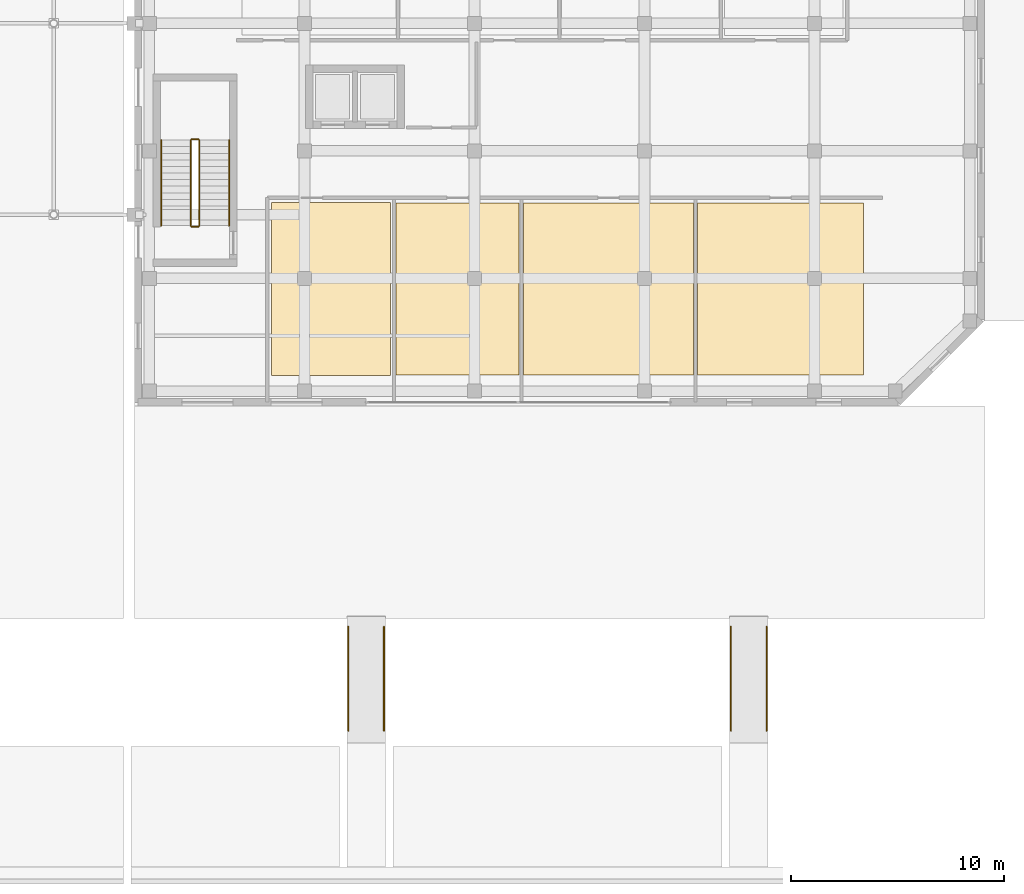
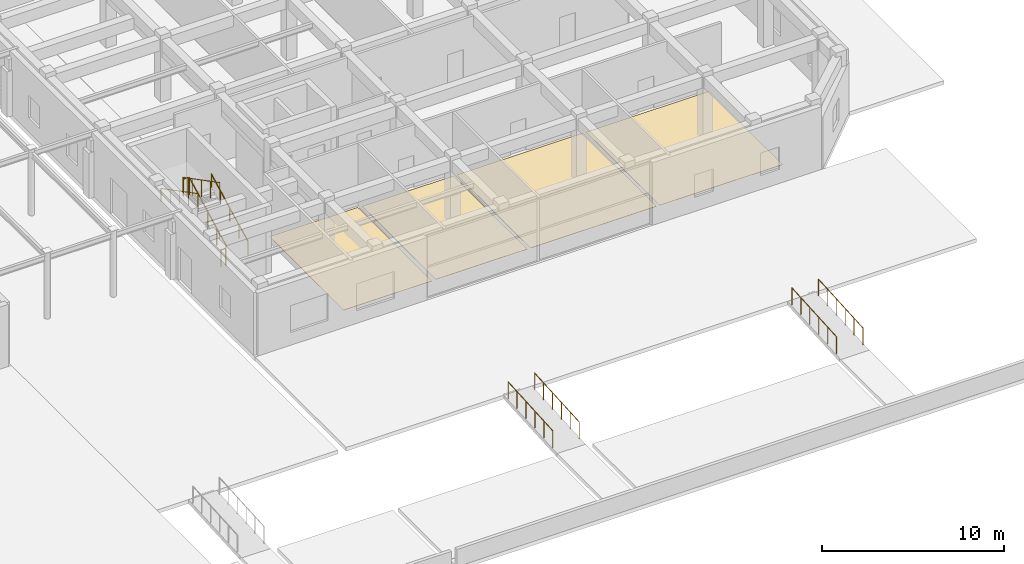
# One storey, part 36 of 39: 10 railings, 4 coverings.
"""IFC4 building model written with IfcOpenShell, lengths in metres."""

import ifcopenshell
import ifcopenshell.guid

model = None  # the IFC model being written
_history = None  # IfcOwnerHistory: only IFC2X3 demands one
_inside = {}  # id of a spatial element -> (the spatial element, [elements in it])
_under = {}  # id of a project, library or spatial element -> (it, [spatial elements below it])
_declared = {}  # id of a project -> (the project, [libraries it declares])
_typed = {}  # id of a type object -> (the type object, [elements of that type])
_made_of = {}  # id of a material, layer set ... -> (it, [elements and type objects made of it])


def new_model(schema):
    """Start an empty IFC model of exactly this schema.

    Asked for "IFC4X3", IfcOpenShell would pick the latest addendum, in which some entities
    have other attributes; the version numbers below select the first issue.
    IFC2X3 requires an IfcOwnerHistory on every rooted entity: one is made here for all.
    """
    global model, _history
    if schema == "IFC4X3":
        model = ifcopenshell.file(schema_version=(4, 3, 0, 0))
    else:
        model = ifcopenshell.file(schema=schema)
    _inside.clear()
    _under.clear()
    _declared.clear()
    _typed.clear()
    _made_of.clear()
    _history = None
    if model.schema == "IFC2X3":
        org = make("IfcOrganization", Name="unknown")
        user = make(
            "IfcPersonAndOrganization",
            ThePerson=make("IfcPerson", FamilyName="unknown"),
            TheOrganization=org,
        )
        app = make(
            "IfcApplication",
            ApplicationDeveloper=org,
            Version="unknown",
            ApplicationFullName="unknown",
            ApplicationIdentifier="unknown",
        )
        _history = make(
            "IfcOwnerHistory",
            OwningUser=user,
            OwningApplication=app,
            ChangeAction="ADDED",
            CreationDate=0,
        )
    return model


def make(cls, **values):
    """One entity of the class cls with the attributes given. An attribute that is None is left unset."""
    return model.create_entity(
        cls, **{name: value for name, value in values.items() if value is not None}
    )


def rooted(cls, **values):
    """An entity with a GlobalId (a new one), such as an element, a storey or a relation."""
    return make(cls, GlobalId=ifcopenshell.guid.new(), OwnerHistory=_history, **values)


def si_unit(unit_type, name, prefix=None):
    """IfcSIUnit, for example si_unit("LENGTHUNIT", "METRE", prefix="MILLI")."""
    return make("IfcSIUnit", UnitType=unit_type, Prefix=prefix, Name=name)


def assignment(units):
    """IfcUnitAssignment: the units of a project."""
    return None if units is None else make("IfcUnitAssignment", Units=units)


def point(xyz):
    """IfcCartesianPoint."""
    return None if xyz is None else make("IfcCartesianPoint", Coordinates=xyz)


def direction(xyz):
    """IfcDirection."""
    return None if xyz is None else make("IfcDirection", DirectionRatios=xyz)


def frame(location, z_axis=None, x_axis=None):
    """IfcAxis2Placement3D, a coordinate frame: its origin and axes. An axis left out is left unset."""
    return make(
        "IfcAxis2Placement3D",
        Location=point(location),
        Axis=direction(z_axis),
        RefDirection=direction(x_axis),
    )


def frame_2d(location, x_axis=None):
    """IfcAxis2Placement2D, a coordinate frame in the plane: its origin and x axis."""
    return make(
        "IfcAxis2Placement2D", Location=point(location), RefDirection=direction(x_axis)
    )


def origin():
    """The frame at (0, 0, 0) with its axes left unset."""
    return frame((0.0, 0.0, 0.0))


def origin_2d():
    """The frame at (0, 0) in the plane with its x axis left unset."""
    return frame_2d((0.0, 0.0))


def place(relative_to, where):
    """IfcLocalPlacement: puts the frame where relative to a parent placement (None: the world)."""
    return make(
        "IfcLocalPlacement", PlacementRelTo=relative_to, RelativePlacement=where
    )


def context(
    kind, dimensions, precision=None, world=None, true_north=None, identifier=None
):
    """IfcGeometricRepresentationContext, for example the 3D "Model" context."""
    return make(
        "IfcGeometricRepresentationContext",
        ContextIdentifier=identifier,
        ContextType=kind,
        CoordinateSpaceDimension=dimensions,
        Precision=precision,
        WorldCoordinateSystem=world,
        TrueNorth=true_north,
    )


def subcontext(parent, identifier, kind, view, scale=None):
    """IfcGeometricRepresentationSubContext, for example "Body" below "Model"."""
    return make(
        "IfcGeometricRepresentationSubContext",
        ContextIdentifier=identifier,
        ContextType=kind,
        ParentContext=parent,
        TargetScale=scale,
        TargetView=view,
    )


def project(units=None, contexts=None):
    """IfcProject with its units and contexts."""
    return rooted(
        "IfcProject",
        Name="project",
        RepresentationContexts=contexts,
        UnitsInContext=assignment(units),
    )


def spatial(cls, under=None, at=None, **own):
    """A site, building, storey or space (cls), placed at a placement, below another one or the project."""
    s = rooted(cls, ObjectPlacement=at, **own)
    if under is not None:
        _under.setdefault(under.id(), (under, []))[1].append(s)
    return s


def polyline(points):
    """IfcPolyline through the points."""
    return make("IfcPolyline", Points=[point(p) for p in points])


def profile(cls, at=None, kind="AREA", **sizes):
    """A parametric profile (cls). Its sizes go by their IFC names, for example OverallWidth=200.0."""
    return make(cls, ProfileType=kind, Position=at, **sizes)


def circle(**sizes):
    """IfcCircleProfileDef."""
    return profile("IfcCircleProfileDef", **sizes)


def outline(outer, holes=None, kind="AREA"):
    """IfcArbitraryClosedProfileDef: a profile drawn as a closed curve; with holes, ...WithVoids."""
    if holes is None:
        return make("IfcArbitraryClosedProfileDef", ProfileType=kind, OuterCurve=outer)
    return make(
        "IfcArbitraryProfileDefWithVoids",
        ProfileType=kind,
        OuterCurve=outer,
        InnerCurves=holes,
    )


def extrude(swept, where, along, depth):
    """IfcExtrudedAreaSolid: the profile swept, set in the frame where, extruded along a direction by depth."""
    return make(
        "IfcExtrudedAreaSolid",
        SweptArea=swept,
        Position=where,
        ExtrudedDirection=direction(along),
        Depth=depth,
    )


def shape(context_of_items, identifier, shape_type, items):
    """IfcShapeRepresentation: the items that make up one representation, for example the "Body"."""
    return make(
        "IfcShapeRepresentation",
        ContextOfItems=context_of_items,
        RepresentationIdentifier=identifier,
        RepresentationType=shape_type,
        Items=items,
    )


def material(Name=None, Category=None):
    """IfcMaterial."""
    return make("IfcMaterial", Name=Name, Category=Category)


def layer(
    of_material, thickness, ventilated=None, Name=None, Category=None, Priority=None
):
    """IfcMaterialLayer: one layer of a wall or slab, of a material (None: an air gap)."""
    return make(
        "IfcMaterialLayer",
        Material=of_material,
        LayerThickness=thickness,
        IsVentilated=ventilated,
        Name=Name,
        Category=Category,
        Priority=Priority,
    )


def layer_set(layers, Name=None):
    """IfcMaterialLayerSet."""
    return make("IfcMaterialLayerSet", MaterialLayers=layers, LayerSetName=Name)


def made_of(thing, what):
    """Note that an element or type object is made of a material, layer set ...; save() writes the relation."""
    if what is not None:
        _made_of.setdefault(what.id(), (what, []))[1].append(thing)
    return thing


def type_object(cls, material=None, **own):
    """A type object (cls), such as IfcWallType, which elements share."""
    return made_of(rooted(cls, **own), material)


def element(
    cls,
    number,
    at=None,
    inside=None,
    cuts=None,
    type_object=None,
    material=None,
    context=None,
    identifier="Body",
    shape_type=None,
    held_by="IfcProductDefinitionShape",
    body=None,
    shapes=None,
    **own,
):
    """One element of the class cls, such as IfcWall. Its Tag is "e" and its number.

    at: its placement. inside: the storey or other place that contains it. cuts: it is an
    opening in that element (IfcRelVoidsElement). A single representation is given by context,
    identifier, shape_type and body (its items); several are given by shapes. held_by: the class
    of the entity that holds the representations. save() writes the other relations.
    """
    e = rooted(cls, Tag="e%d" % number, ObjectPlacement=at, **own)
    if body is not None:
        shapes = [shape(context, identifier, shape_type, body)]
    if shapes is not None:
        e.Representation = make(held_by, Representations=shapes)
    if inside is not None:
        _inside.setdefault(inside.id(), (inside, []))[1].append(e)
    if cuts is not None:
        rooted(
            "IfcRelVoidsElement", RelatingBuildingElement=cuts, RelatedOpeningElement=e
        )
    if type_object is not None:
        _typed.setdefault(type_object.id(), (type_object, []))[1].append(e)
    return made_of(e, material)


def aggregate(whole, parts):
    """IfcRelAggregates: a whole, such as a stair, and the parts it consists of."""
    return rooted("IfcRelAggregates", RelatingObject=whole, RelatedObjects=parts)


def save(model, path):
    """Write the relations noted so far, then the file.

    IfcRelAggregates (storeys below a building ...), IfcRelContainedInSpatialStructure (elements
    in a storey), IfcRelDefinesByType, IfcRelAssociatesMaterial and IfcRelDeclares: one each for
    every whole, place, type object, material and project.
    """
    for whole, parts in _under.values():
        aggregate(whole, parts)
    for where, things in _inside.values():
        rooted(
            "IfcRelContainedInSpatialStructure",
            RelatedElements=things,
            RelatingStructure=where,
        )
    for kind, things in _typed.values():
        rooted("IfcRelDefinesByType", RelatedObjects=things, RelatingType=kind)
    for what, things in _made_of.values():
        rooted("IfcRelAssociatesMaterial", RelatedObjects=things, RelatingMaterial=what)
    for by, libraries in _declared.values():
        rooted("IfcRelDeclares", RelatingContext=by, RelatedDefinitions=libraries)
    model.write(path)


model = new_model("IFC4")

# Units and contexts
model_context = context("Model", 3, precision=1e-05, world=origin(), true_north=direction((0.0, 1.0)))
body_context = subcontext(model_context, "Body", "Model", "MODEL_VIEW")
ifc_project = project(units=[si_unit("LENGTHUNIT", "METRE"), si_unit("AREAUNIT", "SQUARE_METRE"), si_unit("VOLUMEUNIT", "CUBIC_METRE"), si_unit("PLANEANGLEUNIT", "RADIAN"), si_unit("MASSUNIT", "GRAM", prefix="KILO")], contexts=[model_context])

# Site, building, storey
site_placement = place(None, origin())
site = spatial("IfcSite", under=ifc_project, at=site_placement, CompositionType="ELEMENT")
building_placement = place(site_placement, origin())
building = spatial("IfcBuilding", under=site, at=building_placement, Name="Khoralis Quay Care Tower", CompositionType="ELEMENT")
storey_placement = place(building_placement, origin())
storey = spatial("IfcBuildingStorey", under=building, at=storey_placement, Name="L00", CompositionType="ELEMENT", Elevation=0.0)

# Coverings
ifc_material_1 = material(Name="Porcelain and non-slip vinyl flooring")
ifc_layer = layer(ifc_material_1, 0.02001953125)
ifc_layer_set = layer_set([ifc_layer], Name="Porcelain and non-slip vinyl flooring")
covering_type = type_object("IfcCoveringType", Name="COV-FLOOR-20", PredefinedType="FLOORING", material=ifc_layer_set)
covering_1_placement = place(storey_placement, origin())
element("IfcCovering", 1, at=covering_1_placement, inside=storey, type_object=covering_type, Name="Resilient Healthcare Flooring SP-L00-SCS-0", PredefinedType="FLOORING", context=body_context, shape_type="SweptSolid", body=[
    extrude(outline(polyline([(74.43994140625, 7.429931640625), (80.0400390625, 7.429931640625), (80.0400390625, 15.570068359375), (74.43994140625, 15.570068359375), (74.43994140625, 7.429931640625)])), origin(), (0.0, 0.0, 1.0), 0.02001953125),
])
covering_2_placement = place(storey_placement, origin())
element("IfcCovering", 2, at=covering_2_placement, inside=storey, type_object=covering_type, Name="Resilient Healthcare Flooring SP-L00-SCS-1", PredefinedType="FLOORING", context=body_context, shape_type="SweptSolid", body=[
    extrude(outline(polyline([(80.300048828125, 7.449951171875), (86.10009765625, 7.449951171875), (86.10009765625, 15.550048828125), (80.300048828125, 15.550048828125), (80.300048828125, 7.449951171875)])), origin(), (0.0, 0.0, 1.0), 0.02001953125),
])
covering_3_placement = place(storey_placement, origin())
element("IfcCovering", 3, at=covering_3_placement, inside=storey, type_object=covering_type, Name="Resilient Healthcare Flooring SP-L00-SCS-2", PredefinedType="FLOORING", context=body_context, shape_type="SweptSolid", body=[
    extrude(outline(polyline([(86.300048828125, 7.449951171875), (94.300048828125, 7.449951171875), (94.300048828125, 15.550048828125), (86.300048828125, 15.550048828125), (86.300048828125, 7.449951171875)])), origin(), (0.0, 0.0, 1.0), 0.02001953125),
])
covering_4_placement = place(storey_placement, origin())
element("IfcCovering", 4, at=covering_4_placement, inside=storey, type_object=covering_type, Name="Resilient Healthcare Flooring SP-L00-SCS-3", PredefinedType="FLOORING", context=body_context, shape_type="SweptSolid", body=[
    extrude(outline(polyline([(94.5, 7.449951171875), (102.300048828125, 7.449951171875), (102.300048828125, 15.550048828125), (94.5, 15.550048828125), (94.5, 7.449951171875)])), origin(), (0.0, 0.0, 1.0), 0.02001953125),
])

# Railings
ifc_material_2 = material(Name="Pale anodised aluminium", Category="aluminium")
railing_type_1 = type_object("IfcRailingType", Name="RL-BALUST-1150", PredefinedType="BALUSTRADE", material=ifc_material_2)
for number, where, name in (
    (5, (78.06005859375, -9.280029296875, -0.330078125), "Ramp 5 West Guard"),
    (6, (79.739990234375, -9.280029296875, -0.330078125), "Ramp 5 East Guard"),
    (7, (96.06005859375, -9.280029296875, -0.330078125), "Ramp 6 West Guard"),
    (8, (97.739990234375, -9.280029296875, -0.330078125), "Ramp 6 East Guard"),
):
    element("IfcRailing", number, at=place(storey_placement, frame(where)), inside=storey, type_object=railing_type_1, Name=name, PredefinedType="BALUSTRADE", context=body_context, shape_type="SweptSolid", body=[
        extrude(circle(Radius=0.02392578125, at=origin_2d()), frame((0.0, 0.0, 1.1259765625), z_axis=(0.0, 0.998004104959, 0.063149081426), x_axis=(-1.0, 0.0, 0.0)), (0.0, 0.0, 1.0), 4.909912109375),
        extrude(circle(Radius=0.02099609375, at=origin_2d()), origin(), (0.0, 0.0, 1.0), 1.101806640625),
        extrude(circle(Radius=0.02099609375, at=origin_2d()), frame((0.0, 0.97998046875, 0.06201171875)), (0.0, 0.0, 1.0), 1.101806640625),
        extrude(circle(Radius=0.02099609375, at=origin_2d()), frame((0.0, 1.9599609375, 0.1240234375)), (0.0, 0.0, 1.0), 1.101806640625),
        extrude(circle(Radius=0.02099609375, at=origin_2d()), frame((0.0, 2.940185546875, 0.18603515625)), (0.0, 0.0, 1.0), 1.101806640625),
        extrude(circle(Radius=0.02099609375, at=origin_2d()), frame((0.0, 3.920166015625, 0.248046875)), (0.0, 0.0, 1.0), 1.101806640625),
        extrude(circle(Radius=0.02099609375, at=origin_2d()), frame((0.0, 4.900146484375, 0.31005859375)), (0.0, 0.0, 1.0), 1.101806640625),
    ])
ifc_material_3 = material(Name="Brushed stainless steel", Category="steel")
railing_type_2 = type_object("IfcRailingType", Name="RL-GUARD-1150", PredefinedType="GUARDRAIL", material=ifc_material_3)
railing_1_placement = place(storey_placement, frame((71.050048828125, 14.47998046875, 0.16064453125)))
element("IfcRailing", 9, at=railing_1_placement, inside=storey, type_object=railing_type_2, Name="L00 ST-S1 stair guard 1", PredefinedType="GUARDRAIL", context=body_context, shape_type="SweptSolid", body=[
    extrude(circle(Radius=0.02392578125, at=origin_2d()), frame((0.0, 0.0, 1.1259765625), z_axis=(0.0, 0.887780577991, 0.46026692836), x_axis=(-1.0, 0.0, 0.0)), (0.0, 0.0, 1.0), 4.53955078125),
    extrude(circle(Radius=0.02099609375, at=origin_2d()), origin(), (0.0, 0.0, 1.0), 1.101806640625),
    extrude(circle(Radius=0.02099609375, at=origin_2d()), frame((0.0, 1.007568359375, 0.5224609375)), (0.0, 0.0, 1.0), 1.101806640625),
    extrude(circle(Radius=0.02099609375, at=origin_2d()), frame((0.0, 2.01513671875, 1.044677734375)), (0.0, 0.0, 1.0), 1.101806640625),
    extrude(circle(Radius=0.02099609375, at=origin_2d()), frame((0.0, 3.0224609375, 1.56689453125)), (0.0, 0.0, 1.0), 1.101806640625),
    extrude(circle(Radius=0.02099609375, at=origin_2d()), frame((0.0, 4.030029296875, 2.08935546875)), (0.0, 0.0, 1.0), 1.101806640625),
])
railing_2_placement = place(storey_placement, frame((71.0, 18.56005859375, 2.25)))
element("IfcRailing", 10, at=railing_2_placement, inside=storey, type_object=railing_type_2, Name="L00 ST-S1 stair guard 2", PredefinedType="GUARDRAIL", context=body_context, shape_type="SweptSolid", body=[
    extrude(circle(Radius=0.02392578125, at=origin_2d()), frame((0.0, 0.0, 1.1259765625), z_axis=(-1.0, 0.0, 0.0), x_axis=(0.0, -1.0, 0.0)), (0.0, 0.0, 1.0), 0.300048828125),
    extrude(circle(Radius=0.02099609375, at=origin_2d()), origin(), (0.0, 0.0, 1.0), 1.101806640625),
    extrude(circle(Radius=0.02099609375, at=origin_2d()), frame((-0.300048828125, 0.0, 0.0)), (0.0, 0.0, 1.0), 1.101806640625),
])
railing_3_placement = place(storey_placement, frame((70.64990234375, 18.510009765625, 2.41064453125)))
element("IfcRailing", 11, at=railing_3_placement, inside=storey, type_object=railing_type_2, Name="L00 ST-S1 stair guard 3", PredefinedType="GUARDRAIL", context=body_context, shape_type="SweptSolid", body=[
    extrude(circle(Radius=0.02392578125, at=origin_2d()), frame((0.0, 0.0, 1.1259765625), z_axis=(0.0, -0.887780577991, 0.46026692836), x_axis=(1.0, 0.0, 0.0)), (0.0, 0.0, 1.0), 4.53955078125),
    extrude(circle(Radius=0.02099609375, at=origin_2d()), origin(), (0.0, 0.0, 1.0), 1.101806640625),
    extrude(circle(Radius=0.02099609375, at=origin_2d()), frame((0.0, -1.007568359375, 0.5224609375)), (0.0, 0.0, 1.0), 1.101806640625),
    extrude(circle(Radius=0.02099609375, at=origin_2d()), frame((0.0, -2.01513671875, 1.044677734375)), (0.0, 0.0, 1.0), 1.101806640625),
    extrude(circle(Radius=0.02099609375, at=origin_2d()), frame((0.0, -3.0224609375, 1.56689453125)), (0.0, 0.0, 1.0), 1.101806640625),
    extrude(circle(Radius=0.02099609375, at=origin_2d()), frame((0.0, -4.030029296875, 2.08935546875)), (0.0, 0.0, 1.0), 1.101806640625),
])
railing_4_placement = place(storey_placement, frame((71.0, 14.429931640625, 0.0)))
element("IfcRailing", 12, at=railing_4_placement, inside=storey, type_object=railing_type_2, Name="L00 ST-S1 stair guard 4", PredefinedType="GUARDRAIL", context=body_context, shape_type="SweptSolid", body=[
    extrude(circle(Radius=0.02392578125, at=origin_2d()), frame((0.0, 0.0, 1.1259765625), z_axis=(-1.0, 0.0, 0.0), x_axis=(0.0, -1.0, 0.0)), (0.0, 0.0, 1.0), 0.300048828125),
    extrude(circle(Radius=0.02099609375, at=origin_2d()), origin(), (0.0, 0.0, 1.0), 1.101806640625),
    extrude(circle(Radius=0.02099609375, at=origin_2d()), frame((-0.300048828125, 0.0, 0.0)), (0.0, 0.0, 1.0), 1.101806640625),
])
railing_type_3 = type_object("IfcRailingType", Name="RL-HAND-900", PredefinedType="HANDRAIL", material=ifc_material_3)
railing_5_placement = place(storey_placement, frame((72.449951171875, 14.47998046875, 0.16064453125)))
element("IfcRailing", 13, at=railing_5_placement, inside=storey, type_object=railing_type_3, Name="L00 ST-S1 stair handrail 1", PredefinedType="HANDRAIL", context=body_context, shape_type="SweptSolid", body=[
    extrude(circle(Radius=0.02392578125, at=origin_2d()), frame((0.0, 0.0, 0.8759765625), z_axis=(0.0, 0.887780577991, 0.46026692836), x_axis=(-1.0, 0.0, 0.0)), (0.0, 0.0, 1.0), 4.53955078125),
    extrude(circle(Radius=0.02099609375, at=origin_2d()), origin(), (0.0, 0.0, 1.0), 0.851806640625),
    extrude(circle(Radius=0.02099609375, at=origin_2d()), frame((0.0, 1.007568359375, 0.5224609375)), (0.0, 0.0, 1.0), 0.851806640625),
    extrude(circle(Radius=0.02099609375, at=origin_2d()), frame((0.0, 2.01513671875, 1.044677734375)), (0.0, 0.0, 1.0), 0.851806640625),
    extrude(circle(Radius=0.02099609375, at=origin_2d()), frame((0.0, 3.0224609375, 1.56689453125)), (0.0, 0.0, 1.0), 0.851806640625),
    extrude(circle(Radius=0.02099609375, at=origin_2d()), frame((0.0, 4.030029296875, 2.08935546875)), (0.0, 0.0, 1.0), 0.851806640625),
])
railing_6_placement = place(storey_placement, frame((69.25, 18.510009765625, 2.41064453125)))
element("IfcRailing", 14, at=railing_6_placement, inside=storey, type_object=railing_type_3, Name="L00 ST-S1 stair handrail 2", PredefinedType="HANDRAIL", context=body_context, shape_type="SweptSolid", body=[
    extrude(circle(Radius=0.02392578125, at=origin_2d()), frame((0.0, 0.0, 0.8759765625), z_axis=(0.0, -0.887780577991, 0.46026692836), x_axis=(1.0, 0.0, 0.0)), (0.0, 0.0, 1.0), 4.53955078125),
    extrude(circle(Radius=0.02099609375, at=origin_2d()), origin(), (0.0, 0.0, 1.0), 0.851806640625),
    extrude(circle(Radius=0.02099609375, at=origin_2d()), frame((0.0, -1.007568359375, 0.5224609375)), (0.0, 0.0, 1.0), 0.851806640625),
    extrude(circle(Radius=0.02099609375, at=origin_2d()), frame((0.0, -2.01513671875, 1.044677734375)), (0.0, 0.0, 1.0), 0.851806640625),
    extrude(circle(Radius=0.02099609375, at=origin_2d()), frame((0.0, -3.0224609375, 1.56689453125)), (0.0, 0.0, 1.0), 0.851806640625),
    extrude(circle(Radius=0.02099609375, at=origin_2d()), frame((0.0, -4.030029296875, 2.08935546875)), (0.0, 0.0, 1.0), 0.851806640625),
])

save(model, "model.ifc")
